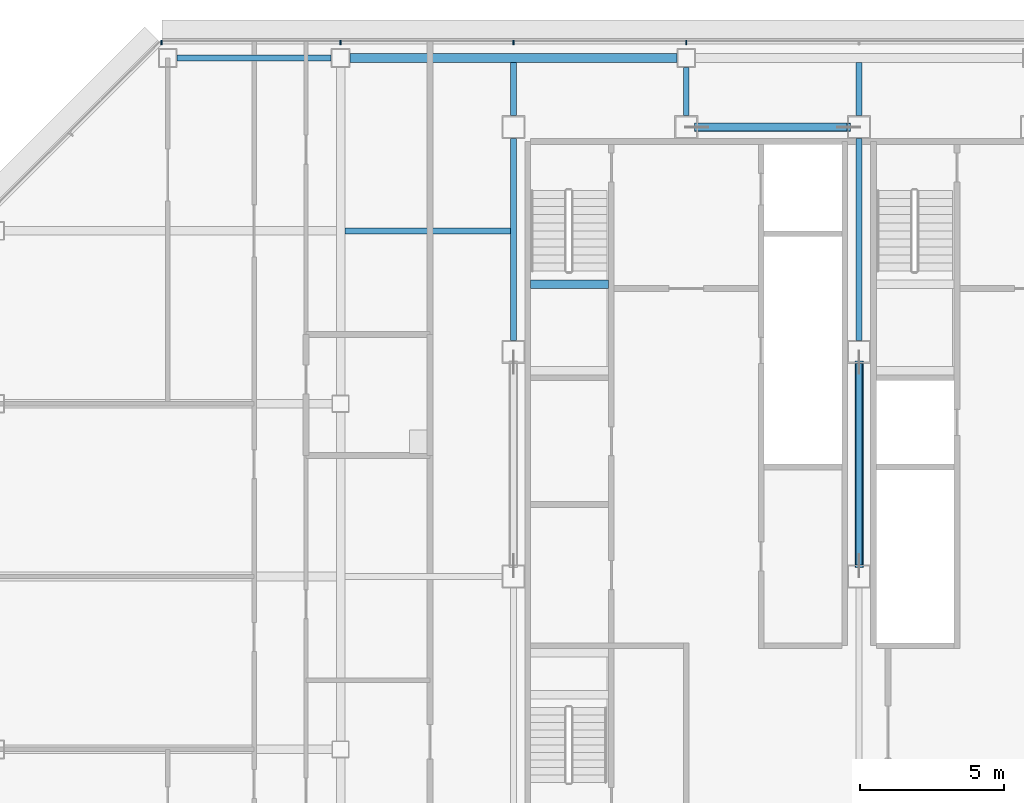
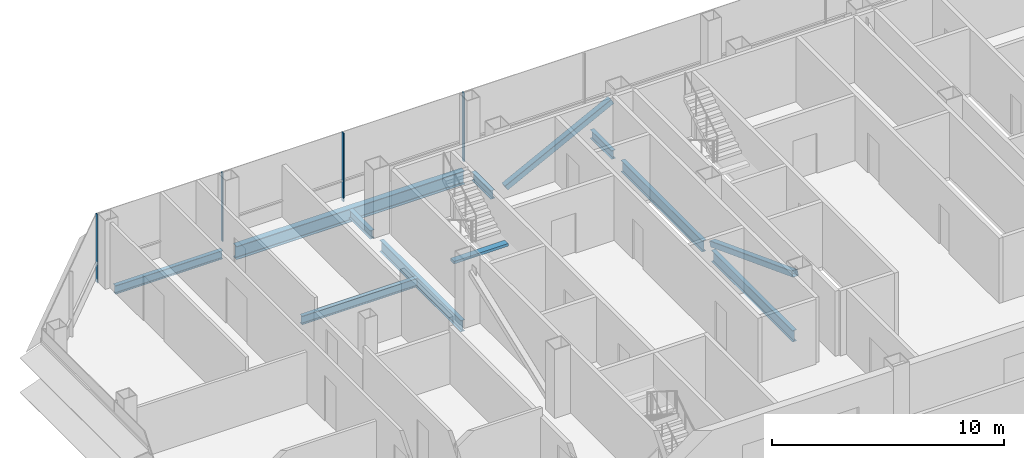
# One storey, part 12 of 26: 10 beams, 6 members, 1 element without a shape of its own.
"""IFC4 building model written with IfcOpenShell, lengths in metres."""

from ifc_helpers import new_model, si_unit, direction, frame, origin, origin_2d, place, context, subcontext, project, spatial, rectangle, hollow_rectangle, i_section, extrude, material, material_profile, profile_set, type_object, element, aggregate, save


model = new_model("IFC4")

# Units and contexts
model_context = context("Model", 3, precision=1e-05, world=origin(), true_north=direction((0.0, 1.0)))
body_context = subcontext(model_context, "Body", "Model", "MODEL_VIEW")
ifc_project = project(units=[si_unit("LENGTHUNIT", "METRE"), si_unit("AREAUNIT", "SQUARE_METRE"), si_unit("VOLUMEUNIT", "CUBIC_METRE"), si_unit("PLANEANGLEUNIT", "RADIAN"), si_unit("MASSUNIT", "GRAM", prefix="KILO")], contexts=[model_context])

# Site, building, storey
site_placement = place(None, origin())
site = spatial("IfcSite", under=ifc_project, at=site_placement, CompositionType="ELEMENT")
building_placement = place(site_placement, origin())
building = spatial("IfcBuilding", under=site, at=building_placement, Name="Sorahane Residences", CompositionType="ELEMENT")
storey_placement = place(building_placement, frame((0.0, 0.0, 215.39990234375)))
storey = spatial("IfcBuildingStorey", under=building, at=storey_placement, Name="L50", CompositionType="ELEMENT", Elevation=215.39990234375)

# Members
ifc_material_1 = material(Name="Steel Q355B", Category="steel")
ifc_material_profile_1 = material_profile(ifc_material_1, hollow_rectangle(XDim=0.300048828125, YDim=0.300048828125, WallThickness=0.01611328125, InnerFilletRadius=0.008056640625, OuterFilletRadius=0.02392578125, at=origin_2d()), Name="RHS 300x300x16")
ifc_profile_set_1 = profile_set([ifc_material_profile_1], Name="Steel Q355B")
member_type_1 = type_object("IfcMemberType", Name="Core brace RHS 300x300x16 Q355B", PredefinedType="BRACE", material=ifc_profile_set_1)
member_1_placement = place(storey_placement, frame((12.35888671875, 45.60009765625, 0.12890625), z_axis=(0.889573339852, 0.0, 0.456792374087), x_axis=(0.0, 1.0, 0.0)))
element("IfcMember", 1, at=member_1_placement, inside=storey, type_object=member_type_1, Name="Core brace L50 y45.6-2", PredefinedType="BRACE", context=body_context, shape_type="SweptSolid", body=[
    extrude(hollow_rectangle(XDim=0.300048828125, YDim=0.300048828125, WallThickness=0.01611328125, InnerFilletRadius=0.008056640625, OuterFilletRadius=0.02392578125, at=origin_2d()), origin(), (0.0, 0.0, 1.0), 5.93798828125),
])
member_2_placement = place(storey_placement, frame((18.0, 37.43212890625, 0.137939453125), z_axis=(0.0, -0.934346475268, 0.35636591329), x_axis=(1.0, 0.0, 0.0)))
element("IfcMember", 2, at=member_2_placement, inside=storey, type_object=member_type_1, Name="Core brace L50 x18-1", PredefinedType="BRACE", context=body_context, shape_type="SweptSolid", body=[
    extrude(hollow_rectangle(XDim=0.300048828125, YDim=0.300048828125, WallThickness=0.01611328125, InnerFilletRadius=0.008056640625, OuterFilletRadius=0.02392578125, at=origin_2d()), origin(), (0.0, 0.0, 1.0), 7.560546875),
])

# Curtain wall, members
ifc_material_2 = material(Name="Dark low-e glass and black anodised aluminium", Category="aluminium")
curtain_wall_type = type_object("IfcCurtainWallType", Name="Curtain wall CW-1 Typical unitised wall", PredefinedType="NOTDEFINED", material=ifc_material_2)
curtain_wall_placement = place(storey_placement, origin())
curtain_wall = element("IfcCurtainWall", 3, at=curtain_wall_placement, inside=storey, type_object=curtain_wall_type, Name="CW-1 curtain wall L50 N1", PredefinedType="NOTDEFINED")
ifc_material_3 = material(Name="Black anodised aluminium", Category="aluminium")
ifc_material_profile_2 = material_profile(ifc_material_3, rectangle(XDim=0.159912109375, YDim=0.050048828125, at=origin_2d()), Name="Curtain wall mullion CW-1 black anodised aluminium 50x160")
ifc_profile_set_2 = profile_set([ifc_material_profile_2], Name="Black anodised aluminium")
member_type_2 = type_object("IfcMemberType", Name="Curtain wall mullion CW-1 black anodised aluminium 50x160", PredefinedType="MULLION", material=ifc_profile_set_2)
member_3_placement = place(storey_placement, frame((12.0, 48.5400390625, -0.179931640625), z_axis=(0.0, 0.0, 1.0), x_axis=(0.0, 1.0, 0.0)))
member_3 = element("IfcMember", 4, at=member_3_placement, type_object=member_type_2, Name="CW-1 mullion L50 N1.7", PredefinedType="MULLION", context=body_context, shape_type="SweptSolid", body=[
    extrude(rectangle(XDim=0.159912109375, YDim=0.050048828125, at=origin_2d()), origin(), (0.0, 0.0, 1.0), 3.60009765625),
])
member_4_placement = place(storey_placement, frame((6.0, 48.5400390625, -0.179931640625), z_axis=(0.0, 0.0, 1.0), x_axis=(0.0, 1.0, 0.0)))
member_4 = element("IfcMember", 5, at=member_4_placement, type_object=member_type_2, Name="CW-1 mullion L50 N1.8", PredefinedType="MULLION", context=body_context, shape_type="SweptSolid", body=[
    extrude(rectangle(XDim=0.159912109375, YDim=0.050048828125, at=origin_2d()), origin(), (0.0, 0.0, 1.0), 3.60009765625),
])
member_5_placement = place(storey_placement, frame((0.0, 48.5400390625, -0.179931640625), z_axis=(0.0, 0.0, 1.0), x_axis=(0.0, 1.0, 0.0)))
member_5 = element("IfcMember", 6, at=member_5_placement, type_object=member_type_2, Name="CW-1 mullion L50 N1.9", PredefinedType="MULLION", context=body_context, shape_type="SweptSolid", body=[
    extrude(rectangle(XDim=0.159912109375, YDim=0.050048828125, at=origin_2d()), origin(), (0.0, 0.0, 1.0), 3.60009765625),
])
member_6_placement = place(storey_placement, frame((-6.2236328125, 48.5400390625, -0.179931640625), z_axis=(0.0, 0.0, 1.0), x_axis=(0.0, 1.0, 0.0)))
member_6 = element("IfcMember", 7, at=member_6_placement, type_object=member_type_2, Name="CW-1 mullion L50 N1.10", PredefinedType="MULLION", context=body_context, shape_type="SweptSolid", body=[
    extrude(rectangle(XDim=0.159912109375, YDim=0.050048828125, at=origin_2d()), origin(), (0.0, 0.0, 1.0), 3.60009765625),
])
aggregate(curtain_wall, [member_3, member_4, member_5, member_6])

# Beams
ifc_material_4 = material(Name="Concrete C40", Category="concrete")
ifc_material_profile_3 = material_profile(ifc_material_4, rectangle(XDim=0.300048828125, YDim=0.139892578125, at=origin_2d()), Name="300x140")
ifc_profile_set_3 = profile_set([ifc_material_profile_3], Name="Concrete C40")
beam_type_1 = type_object("IfcBeamType", Name="RC landing beam 300 x 140 Concrete C40", PredefinedType="BEAM", material=ifc_profile_set_3)
beam_1_placement = place(storey_placement, frame((6.60009765625, 40.14990234375, 1.530029296875), z_axis=(1.0, 0.0, 0.0), x_axis=(0.0, 1.0, 0.0)))
element("IfcBeam", 8, at=beam_1_placement, inside=storey, type_object=beam_type_1, Name="Landing beam", PredefinedType="BEAM", context=body_context, shape_type="SweptSolid", body=[
    extrude(rectangle(XDim=0.300048828125, YDim=0.139892578125, at=origin_2d()), origin(), (0.0, 0.0, 1.0), 2.699951171875),
])
ifc_material_5 = material(Name="Steel Q355B", Category="steel")
ifc_material_profile_4 = material_profile(ifc_material_5, i_section(OverallWidth=0.199951171875, OverallDepth=0.449951171875, WebThickness=0.009033203125, FlangeThickness=0.013916015625, FilletRadius=0.02001953125, at=origin_2d()), Name="HN 450x200x9x14")
ifc_profile_set_4 = profile_set([ifc_material_profile_4], Name="Steel Q355B")
beam_type_2 = type_object("IfcBeamType", Name="Steel floor beam HN 450x200x9x14 Q355B", PredefinedType="BEAM", material=ifc_profile_set_4)
beam_2_placement = place(storey_placement, frame((-5.675048828125, 48.0, -0.40478515625), z_axis=(1.0, 0.0, 0.0), x_axis=(0.0, 1.0, 0.0)))
element("IfcBeam", 9, at=beam_2_placement, inside=storey, type_object=beam_type_2, Name="Beam L50 015", PredefinedType="BEAM", context=body_context, shape_type="SweptSolid", body=[
    extrude(i_section(OverallWidth=0.199951171875, OverallDepth=0.449951171875, WebThickness=0.009033203125, FlangeThickness=0.013916015625, FilletRadius=0.02001953125, at=origin_2d()), origin(), (0.0, 0.0, 1.0), 5.35009765625),
])
beam_3_placement = place(storey_placement, frame((6.0, 46.0, -0.40478515625), z_axis=(0.0, 1.0, 0.0), x_axis=(-1.0, 0.0, 0.0)))
element("IfcBeam", 10, at=beam_3_placement, inside=storey, type_object=beam_type_2, Name="Beam L50 033", PredefinedType="BEAM", context=body_context, shape_type="SweptSolid", body=[
    extrude(i_section(OverallWidth=0.199951171875, OverallDepth=0.449951171875, WebThickness=0.009033203125, FlangeThickness=0.013916015625, FilletRadius=0.02001953125, at=origin_2d()), origin(), (0.0, 0.0, 1.0), 1.85009765625),
])
beam_4_placement = place(storey_placement, frame((12.0, 46.0, -0.40478515625), z_axis=(0.0, 1.0, 0.0), x_axis=(-1.0, 0.0, 0.0)))
element("IfcBeam", 11, at=beam_4_placement, inside=storey, type_object=beam_type_2, Name="Beam L50 035", PredefinedType="BEAM", context=body_context, shape_type="SweptSolid", body=[
    extrude(i_section(OverallWidth=0.199951171875, OverallDepth=0.449951171875, WebThickness=0.009033203125, FlangeThickness=0.013916015625, FilletRadius=0.02001953125, at=origin_2d()), origin(), (0.0, 0.0, 1.0), 1.675048828125),
])
beam_5_placement = place(storey_placement, frame((18.0, 46.0, -0.40478515625), z_axis=(0.0, 1.0, 0.0), x_axis=(-1.0, 0.0, 0.0)))
element("IfcBeam", 12, at=beam_5_placement, inside=storey, type_object=beam_type_2, Name="Beam L50 041", PredefinedType="BEAM", context=body_context, shape_type="SweptSolid", body=[
    extrude(i_section(OverallWidth=0.199951171875, OverallDepth=0.449951171875, WebThickness=0.009033203125, FlangeThickness=0.013916015625, FilletRadius=0.02001953125, at=origin_2d()), origin(), (0.0, 0.0, 1.0), 1.85009765625),
])
beam_6_placement = place(storey_placement, frame((0.14990234375, 42.0, -0.40478515625), z_axis=(1.0, 0.0, 0.0), x_axis=(0.0, 1.0, 0.0)))
element("IfcBeam", 13, at=beam_6_placement, inside=storey, type_object=beam_type_2, Name="Beam L50 090", PredefinedType="BEAM", context=body_context, shape_type="SweptSolid", body=[
    extrude(i_section(OverallWidth=0.199951171875, OverallDepth=0.449951171875, WebThickness=0.009033203125, FlangeThickness=0.013916015625, FilletRadius=0.02001953125, at=origin_2d()), origin(), (0.0, 0.0, 1.0), 5.75),
])
ifc_material_6 = material(Name="Steel Q355B", Category="steel")
ifc_material_profile_5 = material_profile(ifc_material_6, i_section(OverallWidth=0.199951171875, OverallDepth=0.60009765625, WebThickness=0.010986328125, FlangeThickness=0.01708984375, FilletRadius=0.02392578125, at=origin_2d()), Name="HN 600x200x11x17")
ifc_profile_set_5 = profile_set([ifc_material_profile_5], Name="Steel Q355B")
beam_type_3 = type_object("IfcBeamType", Name="Steel floor beam HN 600x200x11x17 Q355B", PredefinedType="BEAM", material=ifc_profile_set_5)
for number, where, z_axis, x_axis, name in (
    (14, (6.0, 38.199951171875, -0.47998046875), (0.0, 1.0, 0.0), (-1.0, 0.0, 0.0), "Beam L50 032"),
    (15, (18.0, 30.39990234375, -0.47998046875), (0.0, 1.0, 0.0), (-1.0, 0.0, 0.0), "Beam L50 039"),
    (16, (18.0, 38.199951171875, -0.47998046875), (0.0, 1.0, 0.0), (-1.0, 0.0, 0.0), "Beam L50 040"),
):
    element("IfcBeam", number, at=place(storey_placement, frame(where, z_axis=z_axis, x_axis=x_axis)), inside=storey, type_object=beam_type_3, Name=name, PredefinedType="BEAM", context=body_context, shape_type="SweptSolid", body=[
        extrude(i_section(OverallWidth=0.199951171875, OverallDepth=0.60009765625, WebThickness=0.010986328125, FlangeThickness=0.01708984375, FilletRadius=0.02392578125, at=origin_2d()), origin(), (0.0, 0.0, 1.0), 7.0),
    ])
ifc_material_7 = material(Name="Steel Q355B", Category="steel")
ifc_material_profile_6 = material_profile(ifc_material_7, i_section(OverallWidth=0.300048828125, OverallDepth=0.699951171875, WebThickness=0.012939453125, FlangeThickness=0.02392578125, FilletRadius=0.028076171875, at=origin_2d()), Name="HN 700x300x13x24")
ifc_profile_set_6 = profile_set([ifc_material_profile_6], Name="Steel Q355B")
beam_type_4 = type_object("IfcBeamType", Name="Steel floor beam HN 700x300x13x24 Q355B", PredefinedType="BEAM", material=ifc_profile_set_6)
beam_7_placement = place(storey_placement, frame((0.324951171875, 48.0, -0.52978515625), z_axis=(1.0, 0.0, 0.0), x_axis=(0.0, 1.0, 0.0)))
element("IfcBeam", 17, at=beam_7_placement, inside=storey, type_object=beam_type_4, Name="Beam L50 016", PredefinedType="BEAM", context=body_context, shape_type="SweptSolid", body=[
    extrude(i_section(OverallWidth=0.300048828125, OverallDepth=0.699951171875, WebThickness=0.012939453125, FlangeThickness=0.02392578125, FilletRadius=0.028076171875, at=origin_2d()), origin(), (0.0, 0.0, 1.0), 11.35009765625),
])

save(model, "model.ifc")
